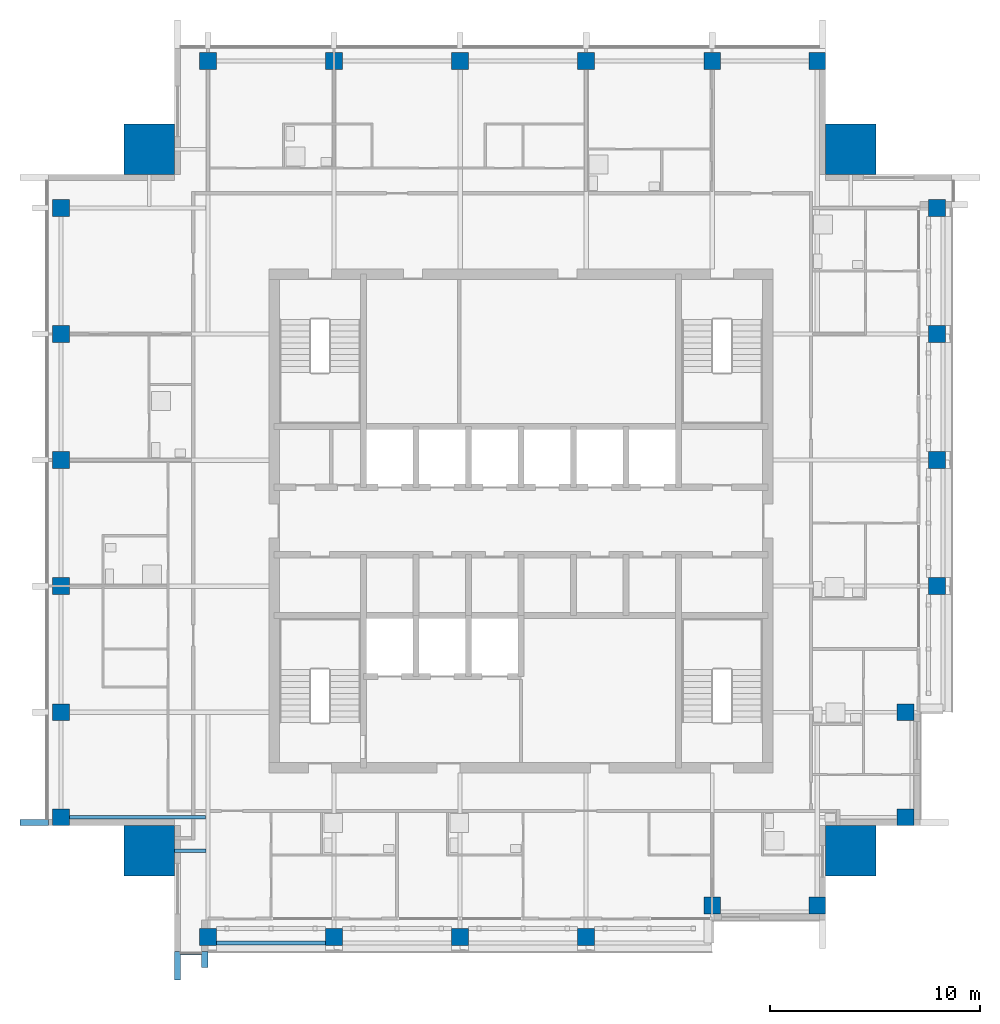
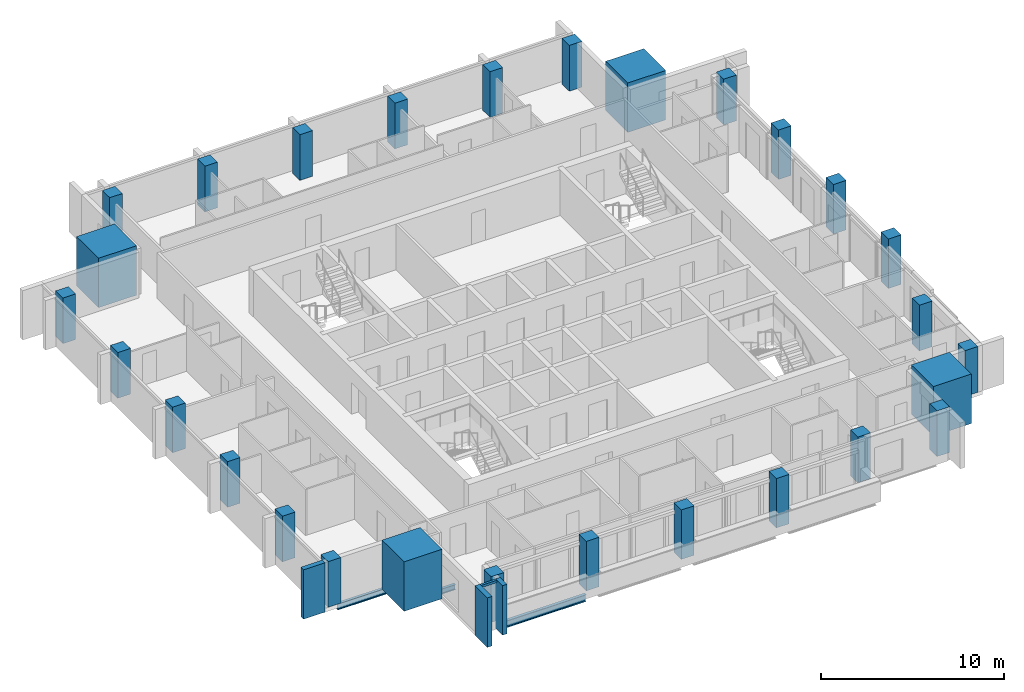
# One storey, part 1 of 15: 28 columns, 4 members, 3 beams, 2 elements without a shape of their own.
"""IFC4 building model written with IfcOpenShell, lengths in metres."""

from ifc_helpers import new_model, si_unit, direction, frame, origin, origin_2d, place, context, subcontext, project, spatial, rectangle, i_section, extrude, material, material_profile, profile_set, type_object, element, aggregate, save


model = new_model("IFC4")

# Units and contexts
model_context = context("Model", 3, precision=1e-05, world=origin(), true_north=direction((0.0, 1.0)))
body_context = subcontext(model_context, "Body", "Model", "MODEL_VIEW")
ifc_project = project(units=[si_unit("LENGTHUNIT", "METRE"), si_unit("AREAUNIT", "SQUARE_METRE"), si_unit("VOLUMEUNIT", "CUBIC_METRE"), si_unit("PLANEANGLEUNIT", "RADIAN"), si_unit("MASSUNIT", "GRAM", prefix="KILO")], contexts=[model_context])

# Site, building, storey
site_placement = place(None, origin())
site = spatial("IfcSite", under=ifc_project, at=site_placement, CompositionType="ELEMENT")
building_placement = place(site_placement, origin())
building = spatial("IfcBuilding", under=site, at=building_placement, Name="Amberfall Residences", CompositionType="ELEMENT")
storey_placement = place(building_placement, frame((0.0, 0.0, 268.60009765625)))
storey = spatial("IfcBuildingStorey", under=building, at=storey_placement, Name="L72", CompositionType="ELEMENT", Elevation=268.60009765625)

# Columns
ifc_material_1 = material(Name="Concrete C50", Category="concrete")
ifc_material_profile_1 = material_profile(ifc_material_1, rectangle(XDim=0.800048828125, YDim=0.800048828125, at=origin_2d()), Name="Column 800 x 800 C50")
ifc_profile_set_1 = profile_set([ifc_material_profile_1], Name="Concrete C50")
column_type_1 = type_object("IfcColumnType", Name="Column 800 x 800 C50", PredefinedType="COLUMN", material=ifc_profile_set_1)
column_placement = place(storey_placement, frame((59.60009765625, 25.699951171875, 0.0), z_axis=(0.0, 0.0, 1.0), x_axis=(1.0, 0.0, 0.0)))
element("IfcColumn", 1, at=column_placement, inside=storey, type_object=column_type_1, Name="Column C5 L72 S1", PredefinedType="COLUMN", context=body_context, shape_type="SweptSolid", body=[
    extrude(rectangle(XDim=0.800048828125, YDim=0.800048828125, at=origin_2d()), origin(), (0.0, 0.0, 1.0), 3.0498046875),
])
for number, where, z_axis, x_axis, name in (
    (2, (65.60009765625, 25.699951171875, 0.0), (0.0, 0.0, 1.0), (1.0, 0.0, 0.0), "Column C5 L72 S2"),
    (3, (71.60009765625, 25.699951171875, 0.0), (0.0, 0.0, 1.0), (1.0, 0.0, 0.0), "Column C5 L72 S3"),
    (4, (77.60009765625, 25.699951171875, 0.0), (0.0, 0.0, 1.0), (1.0, 0.0, 0.0), "Column C5 L72 S4"),
):
    element("IfcColumn", number, at=place(storey_placement, frame(where, z_axis=z_axis, x_axis=x_axis)), inside=storey, type_object=column_type_1, Name=name, PredefinedType="COLUMN", context=body_context, shape_type="SweptSolid", body=[
        extrude(rectangle(XDim=0.800048828125, YDim=0.800048828125, at=origin_2d()), origin(), (0.0, 0.0, 1.0), 3.2998046875),
    ])
for number, where, z_axis, x_axis, name in (
    (5, (83.60009765625, 27.199951171875, 0.0), (0.0, 0.0, 1.0), (1.0, 0.0, 0.0), "Column C5 L72 S5"),
    (6, (88.60009765625, 27.199951171875, 0.0), (0.0, 0.0, 1.0), (1.0, 0.0, 0.0), "Column C5 L72 S6"),
    (7, (92.800048828125, 31.39990234375, 0.0), (0.0, 0.0, 1.0), (1.0, 0.0, 0.0), "Column C5 L72 E1"),
    (8, (92.800048828125, 36.39990234375, 0.0), (0.0, 0.0, 1.0), (1.0, 0.0, 0.0), "Column C5 L72 E2"),
):
    element("IfcColumn", number, at=place(storey_placement, frame(where, z_axis=z_axis, x_axis=x_axis)), inside=storey, type_object=column_type_1, Name=name, PredefinedType="COLUMN", context=body_context, shape_type="SweptSolid", body=[
        extrude(rectangle(XDim=0.800048828125, YDim=0.800048828125, at=origin_2d()), origin(), (0.0, 0.0, 1.0), 3.0498046875),
    ])
for number, where, z_axis, x_axis, name in (
    (9, (94.300048828125, 42.39990234375, 0.0), (0.0, 0.0, 1.0), (1.0, 0.0, 0.0), "Column C5 L72 E3"),
    (10, (94.300048828125, 48.39990234375, 0.0), (0.0, 0.0, 1.0), (1.0, 0.0, 0.0), "Column C5 L72 E4"),
    (11, (94.300048828125, 54.39990234375, 0.0), (0.0, 0.0, 1.0), (1.0, 0.0, 0.0), "Column C5 L72 E5"),
):
    element("IfcColumn", number, at=place(storey_placement, frame(where, z_axis=z_axis, x_axis=x_axis)), inside=storey, type_object=column_type_1, Name=name, PredefinedType="COLUMN", context=body_context, shape_type="SweptSolid", body=[
        extrude(rectangle(XDim=0.800048828125, YDim=0.800048828125, at=origin_2d()), origin(), (0.0, 0.0, 1.0), 3.2998046875),
    ])
for number, where, z_axis, x_axis, name in (
    (12, (94.300048828125, 60.39990234375, 0.0), (0.0, 0.0, 1.0), (1.0, 0.0, 0.0), "Column C5 L72 E6"),
    (13, (59.60009765625, 67.39990234375, 0.0), (0.0, 0.0, 1.0), (1.0, 0.0, 0.0), "Column C5 L72 N1"),
    (14, (65.60009765625, 67.39990234375, 0.0), (0.0, 0.0, 1.0), (1.0, 0.0, 0.0), "Column C5 L72 N2"),
    (15, (71.60009765625, 67.39990234375, 0.0), (0.0, 0.0, 1.0), (1.0, 0.0, 0.0), "Column C5 L72 N3"),
    (16, (77.60009765625, 67.39990234375, 0.0), (0.0, 0.0, 1.0), (1.0, 0.0, 0.0), "Column C5 L72 N4"),
    (17, (83.60009765625, 67.39990234375, 0.0), (0.0, 0.0, 1.0), (1.0, 0.0, 0.0), "Column C5 L72 N5"),
    (18, (88.60009765625, 67.39990234375, 0.0), (0.0, 0.0, 1.0), (1.0, 0.0, 0.0), "Column C5 L72 N6"),
    (19, (52.60009765625, 31.39990234375, 0.0), (0.0, 0.0, 1.0), (1.0, 0.0, 0.0), "Column C5 L72 W1"),
    (20, (52.60009765625, 36.39990234375, 0.0), (0.0, 0.0, 1.0), (1.0, 0.0, 0.0), "Column C5 L72 W2"),
    (21, (52.60009765625, 42.39990234375, 0.0), (0.0, 0.0, 1.0), (1.0, 0.0, 0.0), "Column C5 L72 W3"),
    (22, (52.60009765625, 48.39990234375, 0.0), (0.0, 0.0, 1.0), (1.0, 0.0, 0.0), "Column C5 L72 W4"),
    (23, (52.60009765625, 54.39990234375, 0.0), (0.0, 0.0, 1.0), (1.0, 0.0, 0.0), "Column C5 L72 W5"),
    (24, (52.60009765625, 60.39990234375, 0.0), (0.0, 0.0, 1.0), (1.0, 0.0, 0.0), "Column C5 L72 W6"),
):
    element("IfcColumn", number, at=place(storey_placement, frame(where, z_axis=z_axis, x_axis=x_axis)), inside=storey, type_object=column_type_1, Name=name, PredefinedType="COLUMN", context=body_context, shape_type="SweptSolid", body=[
        extrude(rectangle(XDim=0.800048828125, YDim=0.800048828125, at=origin_2d()), origin(), (0.0, 0.0, 1.0), 3.0498046875),
    ])
ifc_material_profile_2 = material_profile(ifc_material_1, rectangle(XDim=2.39990234375, YDim=2.39990234375, at=origin_2d()), Name="Mega column 2400 x 2400 C50")
ifc_profile_set_2 = profile_set([ifc_material_profile_2], Name="Concrete C50")
column_type_2 = type_object("IfcColumnType", Name="Mega column 2400 x 2400 C50", PredefinedType="COLUMN", material=ifc_profile_set_2)
for number, where, z_axis, x_axis, name in (
    (25, (56.800048828125, 29.800048828125, 0.0), (0.0, 0.0, 1.0), (1.0, 0.0, 0.0), "Mega column MC11 L72 SW"),
    (26, (90.199951171875, 29.800048828125, 0.0), (0.0, 0.0, 1.0), (1.0, 0.0, 0.0), "Mega column MC11 L72 SE"),
    (27, (90.199951171875, 63.199951171875, 0.0), (0.0, 0.0, 1.0), (1.0, 0.0, 0.0), "Mega column MC11 L72 NE"),
    (28, (56.800048828125, 63.199951171875, 0.0), (0.0, 0.0, 1.0), (1.0, 0.0, 0.0), "Mega column MC11 L72 NW"),
):
    element("IfcColumn", number, at=place(storey_placement, frame(where, z_axis=z_axis, x_axis=x_axis)), inside=storey, type_object=column_type_2, Name=name, PredefinedType="COLUMN", context=body_context, shape_type="SweptSolid", body=[
        extrude(rectangle(XDim=2.39990234375, YDim=2.39990234375, at=origin_2d()), origin(), (0.0, 0.0, 1.0), 3.2998046875),
    ])

# Curtain wall, members
ifc_material_2 = material(Name="Bronze anodised aluminium and glass", Category="aluminium")
curtain_wall_type = type_object("IfcCurtainWallType", Name="Curtain wall CW1 tower unit", PredefinedType="USERDEFINED", material=ifc_material_2)
curtain_wall_1_placement = place(storey_placement, origin())
curtain_wall_1 = element("IfcCurtainWall", 29, at=curtain_wall_1_placement, inside=storey, type_object=curtain_wall_type, Name="Curtain wall L72 S S1", ObjectType="UNITISED CURTAIN WALL", PredefinedType="USERDEFINED")
ifc_material_3 = material(Name="Bronze anodised aluminium", Category="aluminium")
ifc_material_profile_3 = material_profile(ifc_material_3, rectangle(XDim=0.14990234375, YDim=0.14990234375, at=origin_2d()), Name="CW1 transom 150 x 150 bronze")
ifc_profile_set_3 = profile_set([ifc_material_profile_3], Name="Bronze anodised aluminium")
member_type_1 = type_object("IfcMemberType", Name="CW1 transom 150 x 150 bronze", PredefinedType="USERDEFINED", material=ifc_profile_set_3)
member_1_placement = place(storey_placement, frame((58.300048828125, 24.925048828125, 2.974853515625), z_axis=(1.0, 0.0, 0.0), x_axis=(0.0, 1.0, 0.0)))
member_1 = element("IfcMember", 30, at=member_1_placement, type_object=member_type_1, Name="CW1 transom 1.1", ObjectType="TRANSOM", PredefinedType="USERDEFINED", context=body_context, shape_type="SweptSolid", body=[
    extrude(rectangle(XDim=0.14990234375, YDim=0.14990234375, at=origin_2d()), origin(), (0.0, 0.0, 1.0), 1.0),
])
ifc_material_profile_4 = material_profile(ifc_material_3, rectangle(XDim=1.35009765625, YDim=0.300048828125, at=origin_2d()), Name="Corner fin 300 x 1350 bronze")
ifc_profile_set_4 = profile_set([ifc_material_profile_4], Name="Bronze anodised aluminium")
member_type_2 = type_object("IfcMemberType", Name="Corner fin 300 x 1350 bronze", PredefinedType="MULLION", material=ifc_profile_set_4)
member_2_placement = place(storey_placement, frame((58.14990234375, 24.324951171875, -0.25), z_axis=(0.0, 0.0, 1.0), x_axis=(0.0, 1.0, 0.0)))
member_2 = element("IfcMember", 31, at=member_2_placement, type_object=member_type_2, Name="CW FIN 1", PredefinedType="MULLION", context=body_context, shape_type="SweptSolid", body=[
    extrude(rectangle(XDim=1.35009765625, YDim=0.300048828125, at=origin_2d()), origin(), (0.0, 0.0, 1.0), 3.2998046875),
])

# Curtain wall, member
curtain_wall_2_placement = place(storey_placement, origin())
curtain_wall_2 = element("IfcCurtainWall", 32, at=curtain_wall_2_placement, inside=storey, type_object=curtain_wall_type, Name="Curtain wall L72 W W1", ObjectType="UNITISED CURTAIN WALL", PredefinedType="USERDEFINED")
member_3_placement = place(storey_placement, frame((51.324951171875, 31.14990234375, -0.25), z_axis=(0.0, 0.0, 1.0), x_axis=(1.0, 0.0, 0.0)))
member_3 = element("IfcMember", 33, at=member_3_placement, type_object=member_type_2, Name="CW FIN 7", PredefinedType="MULLION", context=body_context, shape_type="SweptSolid", body=[
    extrude(rectangle(XDim=1.35009765625, YDim=0.300048828125, at=origin_2d()), origin(), (0.0, 0.0, 1.0), 3.2998046875),
])
aggregate(curtain_wall_2, [member_3])

# Beam
ifc_material_4 = material(Name="Steel S355", Category="steel")
ifc_material_profile_5 = material_profile(ifc_material_4, i_section(OverallWidth=0.18994140625, OverallDepth=0.453369140625, WebThickness=0.008544921875, FlangeThickness=0.0126953125, FilletRadius=0.01025390625, at=origin_2d()), Name="UB 457x191x67")
ifc_profile_set_5 = profile_set([ifc_material_profile_5], Name="Steel S355")
beam_type_1 = type_object("IfcBeamType", Name="Edge beam UB 457x191x67", PredefinedType="SPANDREL", material=ifc_profile_set_5)
beam_1_placement = place(storey_placement, frame((60.0, 25.39990234375, -0.476806640625), z_axis=(1.0, 0.0, 0.0), x_axis=(0.0, 1.0, 0.0)))
element("IfcBeam", 34, at=beam_1_placement, inside=storey, type_object=beam_type_1, Name="Edge beam B1 L72 01", PredefinedType="SPANDREL", context=body_context, shape_type="SweptSolid", body=[
    extrude(i_section(OverallWidth=0.18994140625, OverallDepth=0.453369140625, WebThickness=0.008544921875, FlangeThickness=0.0126953125, FilletRadius=0.01025390625, at=origin_2d()), origin(), (0.0, 0.0, 1.0), 5.199951171875),
])

# Member
ifc_material_profile_6 = material_profile(ifc_material_3, rectangle(XDim=0.75, YDim=0.300048828125, at=origin_2d()), Name="Fin 300 x 750 bronze")
ifc_profile_set_6 = profile_set([ifc_material_profile_6], Name="Bronze anodised aluminium")
member_type_3 = type_object("IfcMemberType", Name="Fin 300 x 750 bronze", PredefinedType="MULLION", material=ifc_profile_set_6)
member_4_placement = place(storey_placement, frame((59.449951171875, 24.625, -0.25), z_axis=(0.0, 0.0, 1.0), x_axis=(0.0, 1.0, 0.0)))
member_4 = element("IfcMember", 35, at=member_4_placement, type_object=member_type_3, Name="CW FIN 2", PredefinedType="MULLION", context=body_context, shape_type="SweptSolid", body=[
    extrude(rectangle(XDim=0.75, YDim=0.300048828125, at=origin_2d()), origin(), (0.0, 0.0, 1.0), 3.2998046875),
])

aggregate(curtain_wall_1, [member_2, member_4, member_1])

# Beams
ifc_material_profile_7 = material_profile(ifc_material_4, i_section(OverallWidth=0.177734375, OverallDepth=0.402587890625, WebThickness=0.0078125, FlangeThickness=0.010986328125, FilletRadius=0.01025390625, at=origin_2d()), Name="UB 406x178x54")
ifc_profile_set_7 = profile_set([ifc_material_profile_7], Name="Steel S355")
beam_type_2 = type_object("IfcBeamType", Name="Floor girder UB 406x178x54", PredefinedType="BEAM", material=ifc_profile_set_7)
beam_2_placement = place(storey_placement, frame((53.0, 31.39990234375, -0.451416015625), z_axis=(1.0, 0.0, 0.0), x_axis=(0.0, 1.0, 0.0)))
element("IfcBeam", 36, at=beam_2_placement, inside=storey, type_object=beam_type_2, Name="Floor girder B4 L72 41", PredefinedType="BEAM", context=body_context, shape_type="SweptSolid", body=[
    extrude(i_section(OverallWidth=0.177734375, OverallDepth=0.402587890625, WebThickness=0.0078125, FlangeThickness=0.010986328125, FilletRadius=0.01025390625, at=origin_2d()), origin(), (0.0, 0.0, 1.0), 6.47998046875),
])
ifc_material_profile_8 = material_profile(ifc_material_4, i_section(OverallWidth=0.171142578125, OverallDepth=0.351318359375, WebThickness=0.007080078125, FlangeThickness=0.009765625, FilletRadius=0.01025390625, at=origin_2d()), Name="UB 356x171x45")
ifc_profile_set_8 = profile_set([ifc_material_profile_8], Name="Steel S355")
beam_type_3 = type_object("IfcBeamType", Name="Link beam UB 356x171x45", PredefinedType="BEAM", material=ifc_profile_set_8)
beam_3_placement = place(storey_placement, frame((58.0, 29.800048828125, -0.42578125), z_axis=(1.0, 0.0, 0.0), x_axis=(0.0, 1.0, 0.0)))
element("IfcBeam", 37, at=beam_3_placement, inside=storey, type_object=beam_type_3, Name="Link beam B7 L72 47", PredefinedType="BEAM", context=body_context, shape_type="SweptSolid", body=[
    extrude(i_section(OverallWidth=0.171142578125, OverallDepth=0.351318359375, WebThickness=0.007080078125, FlangeThickness=0.009765625, FilletRadius=0.01025390625, at=origin_2d()), origin(), (0.0, 0.0, 1.0), 1.50537109375),
])

save(model, "model.ifc")
